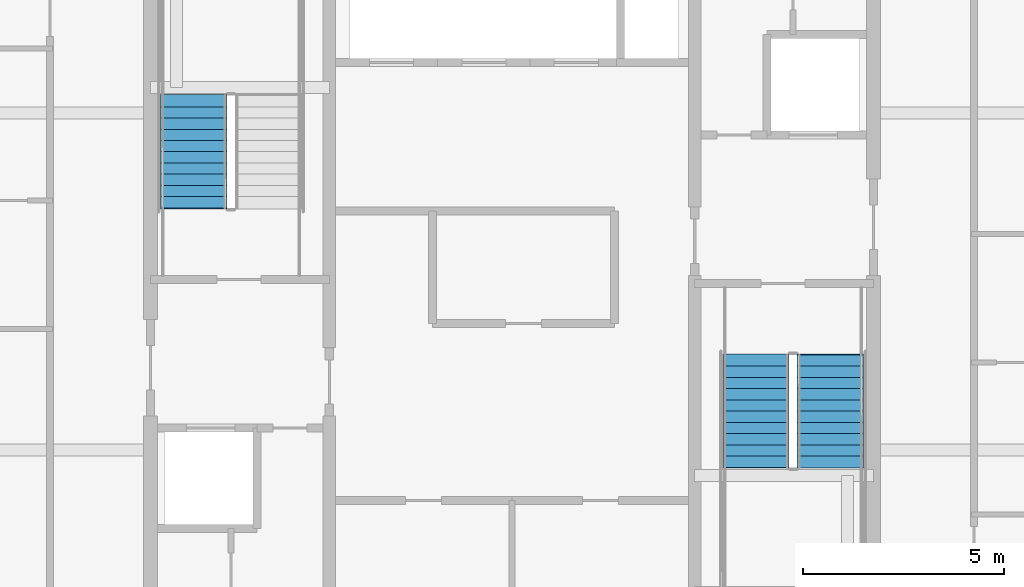
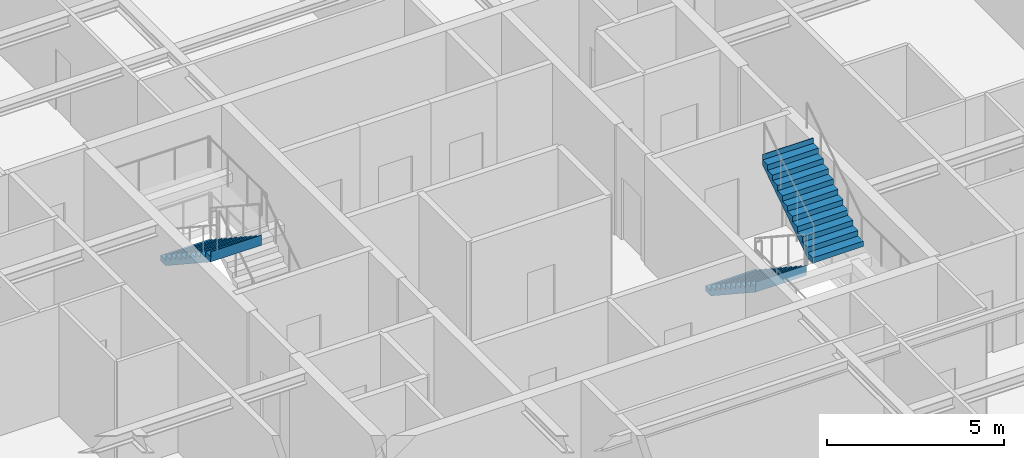
# One storey, part 36 of 42: 3 stair flights, 2 elements without a shape of their own.
"""IFC4 building model written with IfcOpenShell, lengths in metres."""

from ifc_helpers import new_model, si_unit, direction, frame, origin, place, context, subcontext, project, spatial, polygons, material, type_object, element, aggregate, save


model = new_model("IFC4")

# Units and contexts
model_context = context("Model", 3, precision=1e-05, world=origin(), true_north=direction((0.0, 1.0)))
body_context = subcontext(model_context, "Body", "Model", "MODEL_VIEW")
ifc_project = project(units=[si_unit("LENGTHUNIT", "METRE"), si_unit("AREAUNIT", "SQUARE_METRE"), si_unit("VOLUMEUNIT", "CUBIC_METRE"), si_unit("PLANEANGLEUNIT", "RADIAN"), si_unit("MASSUNIT", "GRAM", prefix="KILO")], contexts=[model_context])

# Site, building, storey
site_placement = place(None, origin())
site = spatial("IfcSite", under=ifc_project, at=site_placement, CompositionType="ELEMENT")
building_placement = place(site_placement, origin())
building = spatial("IfcBuilding", under=site, at=building_placement, Name="Serunith Strait Residences", CompositionType="ELEMENT")
storey_placement = place(building_placement, frame((0.0, 0.0, 297.5)))
storey = spatial("IfcBuildingStorey", under=building, at=storey_placement, Name="L74", CompositionType="ELEMENT", Elevation=297.5)

# Stair, stair flight
ifc_material = material(Name="Concrete C50/60", Category="concrete")
stair_type_1 = type_object("IfcStairType", Name="STR-CORE-1", PredefinedType="HALF_TURN_STAIR", material=ifc_material)
stair_1_placement = place(storey_placement, origin())
stair_1 = element("IfcStair", 1, at=stair_1_placement, inside=storey, type_object=stair_type_1, Name="L74 Protected Escape Stair ST-1", PredefinedType="HALF_TURN_STAIR")
stair_flight_type_1 = type_object("IfcStairFlightType", Name="FLT-CORE-1", PredefinedType="STRAIGHT", material=ifc_material)
stair_flight_1_placement = place(storey_placement, frame((24.47509765625, 29.830078125, 2.02490234375), z_axis=(0.0, 0.0, 1.0), x_axis=(0.0, -1.0, 0.0)))
stair_flight_1 = element("IfcStairFlight", 2, at=stair_flight_1_placement, type_object=stair_flight_type_1, Name="ST-1 flight 2", NumberOfRisers=11, NumberOfTreads=10, PredefinedType="STRAIGHT", RiserHeight=0.184090909, TreadLength=0.28, context=body_context, shape_type="Tessellation", body=[
    polygons([(-0.02001953125, -0.824951171875, 0.0), (-0.02001953125, -0.824951171875, 0.18408203125), (0.280029296875, -0.824951171875, 0.18408203125), (0.280029296875, -0.824951171875, 0.3681640625), (0.56005859375, -0.824951171875, 0.3681640625), (0.56005859375, -0.824951171875, 0.55224609375), (0.840087890625, -0.824951171875, 0.55224609375), (0.840087890625, -0.824951171875, 0.736328125), (1.1201171875, -0.824951171875, 0.736328125), (1.1201171875, -0.824951171875, 0.92041015625), (1.39990234375, -0.824951171875, 0.92041015625), (1.39990234375, -0.824951171875, 1.1044921875), (1.679931640625, -0.824951171875, 1.1044921875), (1.679931640625, -0.824951171875, 1.28857421875), (1.9599609375, -0.824951171875, 1.28857421875), (1.9599609375, -0.824951171875, 1.47265625), (2.239990234375, -0.824951171875, 1.47265625), (2.239990234375, -0.824951171875, 1.65673828125), (2.52001953125, -0.824951171875, 1.65673828125), (2.52001953125, -0.824951171875, 1.8408203125), (2.800048828125, -0.824951171875, 1.8408203125), (2.800048828125, -0.824951171875, 2.02490234375), (2.820068359375, -0.824951171875, 2.02490234375), (2.820068359375, -0.824951171875, 1.965087890625), (2.800048828125, -0.824951171875, 1.66162109375), (0.27294921875, -0.824951171875, 0.0), (-0.02001953125, -0.41259765625, 0.0), (-0.02001953125, -0.41259765625, 0.18408203125), (0.280029296875, -0.41259765625, 0.18408203125), (0.280029296875, -0.41259765625, 0.3681640625), (0.56005859375, -0.41259765625, 0.3681640625), (0.56005859375, -0.41259765625, 0.55224609375), (0.840087890625, -0.41259765625, 0.55224609375), (0.840087890625, -0.41259765625, 0.736328125), (1.1201171875, -0.41259765625, 0.736328125), (1.1201171875, -0.41259765625, 0.92041015625), (1.39990234375, -0.41259765625, 0.92041015625), (1.39990234375, -0.41259765625, 1.1044921875), (1.679931640625, -0.41259765625, 1.1044921875), (1.679931640625, -0.41259765625, 1.28857421875), (1.9599609375, -0.41259765625, 1.28857421875), (1.9599609375, -0.41259765625, 1.47265625), (2.239990234375, -0.41259765625, 1.47265625), (2.239990234375, -0.41259765625, 1.65673828125), (2.52001953125, -0.41259765625, 1.65673828125), (2.52001953125, -0.41259765625, 1.8408203125), (2.800048828125, -0.41259765625, 1.8408203125), (2.800048828125, -0.41259765625, 2.02490234375), (2.820068359375, -0.41259765625, 2.02490234375), (2.820068359375, -0.41259765625, 1.965087890625), (2.800048828125, -0.41259765625, 1.66162109375), (0.27294921875, -0.41259765625, 0.0), (-0.02001953125, 0.0, 0.0), (-0.02001953125, 0.0, 0.18408203125), (0.280029296875, 0.0, 0.18408203125), (0.280029296875, 0.0, 0.3681640625), (0.56005859375, 0.0, 0.3681640625), (0.56005859375, 0.0, 0.55224609375), (0.840087890625, 0.0, 0.55224609375), (0.840087890625, 0.0, 0.736328125), (1.1201171875, 0.0, 0.736328125), (1.1201171875, 0.0, 0.92041015625), (1.39990234375, 0.0, 0.92041015625), (1.39990234375, 0.0, 1.1044921875), (1.679931640625, 0.0, 1.1044921875), (1.679931640625, 0.0, 1.28857421875), (1.9599609375, 0.0, 1.28857421875), (1.9599609375, 0.0, 1.47265625), (2.239990234375, 0.0, 1.47265625), (2.239990234375, 0.0, 1.65673828125), (2.52001953125, 0.0, 1.65673828125), (2.52001953125, 0.0, 1.8408203125), (2.800048828125, 0.0, 1.8408203125), (2.800048828125, 0.0, 2.02490234375), (2.820068359375, 0.0, 2.02490234375), (2.820068359375, 0.0, 1.965087890625), (2.800048828125, 0.0, 1.66162109375), (0.27294921875, 0.0, 0.0), (-0.02001953125, 0.41259765625, 0.0), (-0.02001953125, 0.41259765625, 0.18408203125), (0.280029296875, 0.41259765625, 0.18408203125), (0.280029296875, 0.41259765625, 0.3681640625), (0.56005859375, 0.41259765625, 0.3681640625), (0.56005859375, 0.41259765625, 0.55224609375), (0.840087890625, 0.41259765625, 0.55224609375), (0.840087890625, 0.41259765625, 0.736328125), (1.1201171875, 0.41259765625, 0.736328125), (1.1201171875, 0.41259765625, 0.92041015625), (1.39990234375, 0.41259765625, 0.92041015625), (1.39990234375, 0.41259765625, 1.1044921875), (1.679931640625, 0.41259765625, 1.1044921875), (1.679931640625, 0.41259765625, 1.28857421875), (1.9599609375, 0.41259765625, 1.28857421875), (1.9599609375, 0.41259765625, 1.47265625), (2.239990234375, 0.41259765625, 1.47265625), (2.239990234375, 0.41259765625, 1.65673828125), (2.52001953125, 0.41259765625, 1.65673828125), (2.52001953125, 0.41259765625, 1.8408203125), (2.800048828125, 0.41259765625, 1.8408203125), (2.800048828125, 0.41259765625, 2.02490234375), (2.820068359375, 0.41259765625, 2.02490234375), (2.820068359375, 0.41259765625, 1.965087890625), (2.800048828125, 0.41259765625, 1.66162109375), (0.27294921875, 0.41259765625, 0.0), (-0.02001953125, 0.824951171875, 0.0), (-0.02001953125, 0.824951171875, 0.18408203125), (0.280029296875, 0.824951171875, 0.18408203125), (0.280029296875, 0.824951171875, 0.3681640625), (0.56005859375, 0.824951171875, 0.3681640625), (0.56005859375, 0.824951171875, 0.55224609375), (0.840087890625, 0.824951171875, 0.55224609375), (0.840087890625, 0.824951171875, 0.736328125), (1.1201171875, 0.824951171875, 0.736328125), (1.1201171875, 0.824951171875, 0.92041015625), (1.39990234375, 0.824951171875, 0.92041015625), (1.39990234375, 0.824951171875, 1.1044921875), (1.679931640625, 0.824951171875, 1.1044921875), (1.679931640625, 0.824951171875, 1.28857421875), (1.9599609375, 0.824951171875, 1.28857421875), (1.9599609375, 0.824951171875, 1.47265625), (2.239990234375, 0.824951171875, 1.47265625), (2.239990234375, 0.824951171875, 1.65673828125), (2.52001953125, 0.824951171875, 1.65673828125), (2.52001953125, 0.824951171875, 1.8408203125), (2.800048828125, 0.824951171875, 1.8408203125), (2.800048828125, 0.824951171875, 2.02490234375), (2.820068359375, 0.824951171875, 2.02490234375), (2.820068359375, 0.824951171875, 1.965087890625), (2.800048828125, 0.824951171875, 1.66162109375), (0.27294921875, 0.824951171875, 0.0)], [[[1, 2, 28, 27]], [[2, 3, 29, 28]], [[3, 4, 30, 29]], [[4, 5, 31, 30]], [[5, 6, 32, 31]], [[6, 7, 33, 32]], [[7, 8, 34, 33]], [[8, 9, 35, 34]], [[9, 10, 36, 35]], [[10, 11, 37, 36]], [[11, 12, 38, 37]], [[12, 13, 39, 38]], [[13, 14, 40, 39]], [[14, 15, 41, 40]], [[15, 16, 42, 41]], [[16, 17, 43, 42]], [[17, 18, 44, 43]], [[18, 19, 45, 44]], [[19, 20, 46, 45]], [[20, 21, 47, 46]], [[21, 22, 48, 47]], [[22, 23, 49, 48]], [[23, 24, 50, 49]], [[24, 25, 51, 50]], [[25, 26, 52, 51]], [[26, 1, 27, 52]], [[27, 28, 54, 53]], [[28, 29, 55, 54]], [[29, 30, 56, 55]], [[30, 31, 57, 56]], [[31, 32, 58, 57]], [[32, 33, 59, 58]], [[33, 34, 60, 59]], [[34, 35, 61, 60]], [[35, 36, 62, 61]], [[36, 37, 63, 62]], [[37, 38, 64, 63]], [[38, 39, 65, 64]], [[39, 40, 66, 65]], [[40, 41, 67, 66]], [[41, 42, 68, 67]], [[42, 43, 69, 68]], [[43, 44, 70, 69]], [[44, 45, 71, 70]], [[45, 46, 72, 71]], [[46, 47, 73, 72]], [[47, 48, 74, 73]], [[48, 49, 75, 74]], [[49, 50, 76, 75]], [[50, 51, 77, 76]], [[51, 52, 78, 77]], [[52, 27, 53, 78]], [[53, 54, 80, 79]], [[54, 55, 81, 80]], [[55, 56, 82, 81]], [[56, 57, 83, 82]], [[57, 58, 84, 83]], [[58, 59, 85, 84]], [[59, 60, 86, 85]], [[60, 61, 87, 86]], [[61, 62, 88, 87]], [[62, 63, 89, 88]], [[63, 64, 90, 89]], [[64, 65, 91, 90]], [[65, 66, 92, 91]], [[66, 67, 93, 92]], [[67, 68, 94, 93]], [[68, 69, 95, 94]], [[69, 70, 96, 95]], [[70, 71, 97, 96]], [[71, 72, 98, 97]], [[72, 73, 99, 98]], [[73, 74, 100, 99]], [[74, 75, 101, 100]], [[75, 76, 102, 101]], [[76, 77, 103, 102]], [[77, 78, 104, 103]], [[78, 53, 79, 104]], [[79, 80, 106, 105]], [[80, 81, 107, 106]], [[81, 82, 108, 107]], [[82, 83, 109, 108]], [[83, 84, 110, 109]], [[84, 85, 111, 110]], [[85, 86, 112, 111]], [[86, 87, 113, 112]], [[87, 88, 114, 113]], [[88, 89, 115, 114]], [[89, 90, 116, 115]], [[90, 91, 117, 116]], [[91, 92, 118, 117]], [[92, 93, 119, 118]], [[93, 94, 120, 119]], [[94, 95, 121, 120]], [[95, 96, 122, 121]], [[96, 97, 123, 122]], [[97, 98, 124, 123]], [[98, 99, 125, 124]], [[99, 100, 126, 125]], [[100, 101, 127, 126]], [[101, 102, 128, 127]], [[102, 103, 129, 128]], [[103, 104, 130, 129]], [[104, 79, 105, 130]], [[26, 25, 24, 23, 22, 21, 20, 19, 18, 17, 16, 15, 14, 13, 12, 11, 10, 9, 8, 7, 6, 5, 4, 3, 2, 1]], [[105, 106, 107, 108, 109, 110, 111, 112, 113, 114, 115, 116, 117, 118, 119, 120, 121, 122, 123, 124, 125, 126, 127, 128, 129, 130]]], closed=True),
])
aggregate(stair_1, [stair_flight_1])

# Stair, stair flights
stair_type_2 = type_object("IfcStairType", Name="STR-CORE-2", PredefinedType="HALF_TURN_STAIR", material=ifc_material)
stair_2_placement = place(storey_placement, origin())
stair_2 = element("IfcStair", 3, at=stair_2_placement, inside=storey, type_object=stair_type_2, Name="L74 Protected Escape Stair ST-2", PredefinedType="HALF_TURN_STAIR")
stair_flight_type_2 = type_object("IfcStairFlightType", Name="FLT-CORE-2", PredefinedType="STRAIGHT", material=ifc_material)
stair_flight_2_placement = place(storey_placement, frame((38.47509765625, 23.3701171875, 0.0), z_axis=(0.0, 0.0, 1.0), x_axis=(0.0, -1.0, 0.0)))
stair_flight_2 = element("IfcStairFlight", 4, at=stair_flight_2_placement, type_object=stair_flight_type_2, Name="ST-2 flight 1", NumberOfRisers=11, NumberOfTreads=10, PredefinedType="STRAIGHT", RiserHeight=0.184090909, TreadLength=0.28, context=body_context, shape_type="Tessellation", body=[
    polygons([(-0.02001953125, -0.824951171875, 0.0), (-0.02001953125, -0.824951171875, 0.18408203125), (0.280029296875, -0.824951171875, 0.18408203125), (0.280029296875, -0.824951171875, 0.3681640625), (0.56005859375, -0.824951171875, 0.3681640625), (0.56005859375, -0.824951171875, 0.55224609375), (0.840087890625, -0.824951171875, 0.55224609375), (0.840087890625, -0.824951171875, 0.736328125), (1.1201171875, -0.824951171875, 0.736328125), (1.1201171875, -0.824951171875, 0.92041015625), (1.39990234375, -0.824951171875, 0.92041015625), (1.39990234375, -0.824951171875, 1.1044921875), (1.679931640625, -0.824951171875, 1.1044921875), (1.679931640625, -0.824951171875, 1.28857421875), (1.9599609375, -0.824951171875, 1.28857421875), (1.9599609375, -0.824951171875, 1.47265625), (2.239990234375, -0.824951171875, 1.47265625), (2.239990234375, -0.824951171875, 1.65673828125), (2.52001953125, -0.824951171875, 1.65673828125), (2.52001953125, -0.824951171875, 1.8408203125), (2.800048828125, -0.824951171875, 1.8408203125), (2.800048828125, -0.824951171875, 2.02490234375), (2.820068359375, -0.824951171875, 2.02490234375), (2.820068359375, -0.824951171875, 1.965087890625), (2.800048828125, -0.824951171875, 1.66162109375), (0.27294921875, -0.824951171875, 0.0), (-0.02001953125, -0.41259765625, 0.0), (-0.02001953125, -0.41259765625, 0.18408203125), (0.280029296875, -0.41259765625, 0.18408203125), (0.280029296875, -0.41259765625, 0.3681640625), (0.56005859375, -0.41259765625, 0.3681640625), (0.56005859375, -0.41259765625, 0.55224609375), (0.840087890625, -0.41259765625, 0.55224609375), (0.840087890625, -0.41259765625, 0.736328125), (1.1201171875, -0.41259765625, 0.736328125), (1.1201171875, -0.41259765625, 0.92041015625), (1.39990234375, -0.41259765625, 0.92041015625), (1.39990234375, -0.41259765625, 1.1044921875), (1.679931640625, -0.41259765625, 1.1044921875), (1.679931640625, -0.41259765625, 1.28857421875), (1.9599609375, -0.41259765625, 1.28857421875), (1.9599609375, -0.41259765625, 1.47265625), (2.239990234375, -0.41259765625, 1.47265625), (2.239990234375, -0.41259765625, 1.65673828125), (2.52001953125, -0.41259765625, 1.65673828125), (2.52001953125, -0.41259765625, 1.8408203125), (2.800048828125, -0.41259765625, 1.8408203125), (2.800048828125, -0.41259765625, 2.02490234375), (2.820068359375, -0.41259765625, 2.02490234375), (2.820068359375, -0.41259765625, 1.965087890625), (2.800048828125, -0.41259765625, 1.66162109375), (0.27294921875, -0.41259765625, 0.0), (-0.02001953125, 0.0, 0.0), (-0.02001953125, 0.0, 0.18408203125), (0.280029296875, 0.0, 0.18408203125), (0.280029296875, 0.0, 0.3681640625), (0.56005859375, 0.0, 0.3681640625), (0.56005859375, 0.0, 0.55224609375), (0.840087890625, 0.0, 0.55224609375), (0.840087890625, 0.0, 0.736328125), (1.1201171875, 0.0, 0.736328125), (1.1201171875, 0.0, 0.92041015625), (1.39990234375, 0.0, 0.92041015625), (1.39990234375, 0.0, 1.1044921875), (1.679931640625, 0.0, 1.1044921875), (1.679931640625, 0.0, 1.28857421875), (1.9599609375, 0.0, 1.28857421875), (1.9599609375, 0.0, 1.47265625), (2.239990234375, 0.0, 1.47265625), (2.239990234375, 0.0, 1.65673828125), (2.52001953125, 0.0, 1.65673828125), (2.52001953125, 0.0, 1.8408203125), (2.800048828125, 0.0, 1.8408203125), (2.800048828125, 0.0, 2.02490234375), (2.820068359375, 0.0, 2.02490234375), (2.820068359375, 0.0, 1.965087890625), (2.800048828125, 0.0, 1.66162109375), (0.27294921875, 0.0, 0.0), (-0.02001953125, 0.41259765625, 0.0), (-0.02001953125, 0.41259765625, 0.18408203125), (0.280029296875, 0.41259765625, 0.18408203125), (0.280029296875, 0.41259765625, 0.3681640625), (0.56005859375, 0.41259765625, 0.3681640625), (0.56005859375, 0.41259765625, 0.55224609375), (0.840087890625, 0.41259765625, 0.55224609375), (0.840087890625, 0.41259765625, 0.736328125), (1.1201171875, 0.41259765625, 0.736328125), (1.1201171875, 0.41259765625, 0.92041015625), (1.39990234375, 0.41259765625, 0.92041015625), (1.39990234375, 0.41259765625, 1.1044921875), (1.679931640625, 0.41259765625, 1.1044921875), (1.679931640625, 0.41259765625, 1.28857421875), (1.9599609375, 0.41259765625, 1.28857421875), (1.9599609375, 0.41259765625, 1.47265625), (2.239990234375, 0.41259765625, 1.47265625), (2.239990234375, 0.41259765625, 1.65673828125), (2.52001953125, 0.41259765625, 1.65673828125), (2.52001953125, 0.41259765625, 1.8408203125), (2.800048828125, 0.41259765625, 1.8408203125), (2.800048828125, 0.41259765625, 2.02490234375), (2.820068359375, 0.41259765625, 2.02490234375), (2.820068359375, 0.41259765625, 1.965087890625), (2.800048828125, 0.41259765625, 1.66162109375), (0.27294921875, 0.41259765625, 0.0), (-0.02001953125, 0.824951171875, 0.0), (-0.02001953125, 0.824951171875, 0.18408203125), (0.280029296875, 0.824951171875, 0.18408203125), (0.280029296875, 0.824951171875, 0.3681640625), (0.56005859375, 0.824951171875, 0.3681640625), (0.56005859375, 0.824951171875, 0.55224609375), (0.840087890625, 0.824951171875, 0.55224609375), (0.840087890625, 0.824951171875, 0.736328125), (1.1201171875, 0.824951171875, 0.736328125), (1.1201171875, 0.824951171875, 0.92041015625), (1.39990234375, 0.824951171875, 0.92041015625), (1.39990234375, 0.824951171875, 1.1044921875), (1.679931640625, 0.824951171875, 1.1044921875), (1.679931640625, 0.824951171875, 1.28857421875), (1.9599609375, 0.824951171875, 1.28857421875), (1.9599609375, 0.824951171875, 1.47265625), (2.239990234375, 0.824951171875, 1.47265625), (2.239990234375, 0.824951171875, 1.65673828125), (2.52001953125, 0.824951171875, 1.65673828125), (2.52001953125, 0.824951171875, 1.8408203125), (2.800048828125, 0.824951171875, 1.8408203125), (2.800048828125, 0.824951171875, 2.02490234375), (2.820068359375, 0.824951171875, 2.02490234375), (2.820068359375, 0.824951171875, 1.965087890625), (2.800048828125, 0.824951171875, 1.66162109375), (0.27294921875, 0.824951171875, 0.0)], [[[1, 2, 28, 27]], [[2, 3, 29, 28]], [[3, 4, 30, 29]], [[4, 5, 31, 30]], [[5, 6, 32, 31]], [[6, 7, 33, 32]], [[7, 8, 34, 33]], [[8, 9, 35, 34]], [[9, 10, 36, 35]], [[10, 11, 37, 36]], [[11, 12, 38, 37]], [[12, 13, 39, 38]], [[13, 14, 40, 39]], [[14, 15, 41, 40]], [[15, 16, 42, 41]], [[16, 17, 43, 42]], [[17, 18, 44, 43]], [[18, 19, 45, 44]], [[19, 20, 46, 45]], [[20, 21, 47, 46]], [[21, 22, 48, 47]], [[22, 23, 49, 48]], [[23, 24, 50, 49]], [[24, 25, 51, 50]], [[25, 26, 52, 51]], [[26, 1, 27, 52]], [[27, 28, 54, 53]], [[28, 29, 55, 54]], [[29, 30, 56, 55]], [[30, 31, 57, 56]], [[31, 32, 58, 57]], [[32, 33, 59, 58]], [[33, 34, 60, 59]], [[34, 35, 61, 60]], [[35, 36, 62, 61]], [[36, 37, 63, 62]], [[37, 38, 64, 63]], [[38, 39, 65, 64]], [[39, 40, 66, 65]], [[40, 41, 67, 66]], [[41, 42, 68, 67]], [[42, 43, 69, 68]], [[43, 44, 70, 69]], [[44, 45, 71, 70]], [[45, 46, 72, 71]], [[46, 47, 73, 72]], [[47, 48, 74, 73]], [[48, 49, 75, 74]], [[49, 50, 76, 75]], [[50, 51, 77, 76]], [[51, 52, 78, 77]], [[52, 27, 53, 78]], [[53, 54, 80, 79]], [[54, 55, 81, 80]], [[55, 56, 82, 81]], [[56, 57, 83, 82]], [[57, 58, 84, 83]], [[58, 59, 85, 84]], [[59, 60, 86, 85]], [[60, 61, 87, 86]], [[61, 62, 88, 87]], [[62, 63, 89, 88]], [[63, 64, 90, 89]], [[64, 65, 91, 90]], [[65, 66, 92, 91]], [[66, 67, 93, 92]], [[67, 68, 94, 93]], [[68, 69, 95, 94]], [[69, 70, 96, 95]], [[70, 71, 97, 96]], [[71, 72, 98, 97]], [[72, 73, 99, 98]], [[73, 74, 100, 99]], [[74, 75, 101, 100]], [[75, 76, 102, 101]], [[76, 77, 103, 102]], [[77, 78, 104, 103]], [[78, 53, 79, 104]], [[79, 80, 106, 105]], [[80, 81, 107, 106]], [[81, 82, 108, 107]], [[82, 83, 109, 108]], [[83, 84, 110, 109]], [[84, 85, 111, 110]], [[85, 86, 112, 111]], [[86, 87, 113, 112]], [[87, 88, 114, 113]], [[88, 89, 115, 114]], [[89, 90, 116, 115]], [[90, 91, 117, 116]], [[91, 92, 118, 117]], [[92, 93, 119, 118]], [[93, 94, 120, 119]], [[94, 95, 121, 120]], [[95, 96, 122, 121]], [[96, 97, 123, 122]], [[97, 98, 124, 123]], [[98, 99, 125, 124]], [[99, 100, 126, 125]], [[100, 101, 127, 126]], [[101, 102, 128, 127]], [[102, 103, 129, 128]], [[103, 104, 130, 129]], [[104, 79, 105, 130]], [[26, 25, 24, 23, 22, 21, 20, 19, 18, 17, 16, 15, 14, 13, 12, 11, 10, 9, 8, 7, 6, 5, 4, 3, 2, 1]], [[105, 106, 107, 108, 109, 110, 111, 112, 113, 114, 115, 116, 117, 118, 119, 120, 121, 122, 123, 124, 125, 126, 127, 128, 129, 130]]], closed=True),
])
stair_flight_3_placement = place(storey_placement, frame((40.324951171875, 20.570068359375, 2.02490234375), z_axis=(0.0, 0.0, 1.0), x_axis=(0.0, 1.0, 0.0)))
stair_flight_3 = element("IfcStairFlight", 5, at=stair_flight_3_placement, type_object=stair_flight_type_2, Name="ST-2 flight 2", NumberOfRisers=11, NumberOfTreads=10, PredefinedType="STRAIGHT", RiserHeight=0.184090909, TreadLength=0.28, context=body_context, shape_type="Tessellation", body=[
    polygons([(-0.02001953125, -0.824951171875, 0.0), (-0.02001953125, -0.824951171875, 0.18408203125), (0.280029296875, -0.824951171875, 0.18408203125), (0.280029296875, -0.824951171875, 0.3681640625), (0.56005859375, -0.824951171875, 0.3681640625), (0.56005859375, -0.824951171875, 0.55224609375), (0.840087890625, -0.824951171875, 0.55224609375), (0.840087890625, -0.824951171875, 0.736328125), (1.1201171875, -0.824951171875, 0.736328125), (1.1201171875, -0.824951171875, 0.92041015625), (1.39990234375, -0.824951171875, 0.92041015625), (1.39990234375, -0.824951171875, 1.1044921875), (1.679931640625, -0.824951171875, 1.1044921875), (1.679931640625, -0.824951171875, 1.28857421875), (1.9599609375, -0.824951171875, 1.28857421875), (1.9599609375, -0.824951171875, 1.47265625), (2.239990234375, -0.824951171875, 1.47265625), (2.239990234375, -0.824951171875, 1.65673828125), (2.52001953125, -0.824951171875, 1.65673828125), (2.52001953125, -0.824951171875, 1.8408203125), (2.800048828125, -0.824951171875, 1.8408203125), (2.800048828125, -0.824951171875, 2.02490234375), (2.820068359375, -0.824951171875, 2.02490234375), (2.820068359375, -0.824951171875, 1.965087890625), (2.800048828125, -0.824951171875, 1.66162109375), (0.27294921875, -0.824951171875, 0.0), (-0.02001953125, -0.41259765625, 0.0), (-0.02001953125, -0.41259765625, 0.18408203125), (0.280029296875, -0.41259765625, 0.18408203125), (0.280029296875, -0.41259765625, 0.3681640625), (0.56005859375, -0.41259765625, 0.3681640625), (0.56005859375, -0.41259765625, 0.55224609375), (0.840087890625, -0.41259765625, 0.55224609375), (0.840087890625, -0.41259765625, 0.736328125), (1.1201171875, -0.41259765625, 0.736328125), (1.1201171875, -0.41259765625, 0.92041015625), (1.39990234375, -0.41259765625, 0.92041015625), (1.39990234375, -0.41259765625, 1.1044921875), (1.679931640625, -0.41259765625, 1.1044921875), (1.679931640625, -0.41259765625, 1.28857421875), (1.9599609375, -0.41259765625, 1.28857421875), (1.9599609375, -0.41259765625, 1.47265625), (2.239990234375, -0.41259765625, 1.47265625), (2.239990234375, -0.41259765625, 1.65673828125), (2.52001953125, -0.41259765625, 1.65673828125), (2.52001953125, -0.41259765625, 1.8408203125), (2.800048828125, -0.41259765625, 1.8408203125), (2.800048828125, -0.41259765625, 2.02490234375), (2.820068359375, -0.41259765625, 2.02490234375), (2.820068359375, -0.41259765625, 1.965087890625), (2.800048828125, -0.41259765625, 1.66162109375), (0.27294921875, -0.41259765625, 0.0), (-0.02001953125, 0.0, 0.0), (-0.02001953125, 0.0, 0.18408203125), (0.280029296875, 0.0, 0.18408203125), (0.280029296875, 0.0, 0.3681640625), (0.56005859375, 0.0, 0.3681640625), (0.56005859375, 0.0, 0.55224609375), (0.840087890625, 0.0, 0.55224609375), (0.840087890625, 0.0, 0.736328125), (1.1201171875, 0.0, 0.736328125), (1.1201171875, 0.0, 0.92041015625), (1.39990234375, 0.0, 0.92041015625), (1.39990234375, 0.0, 1.1044921875), (1.679931640625, 0.0, 1.1044921875), (1.679931640625, 0.0, 1.28857421875), (1.9599609375, 0.0, 1.28857421875), (1.9599609375, 0.0, 1.47265625), (2.239990234375, 0.0, 1.47265625), (2.239990234375, 0.0, 1.65673828125), (2.52001953125, 0.0, 1.65673828125), (2.52001953125, 0.0, 1.8408203125), (2.800048828125, 0.0, 1.8408203125), (2.800048828125, 0.0, 2.02490234375), (2.820068359375, 0.0, 2.02490234375), (2.820068359375, 0.0, 1.965087890625), (2.800048828125, 0.0, 1.66162109375), (0.27294921875, 0.0, 0.0), (-0.02001953125, 0.41259765625, 0.0), (-0.02001953125, 0.41259765625, 0.18408203125), (0.280029296875, 0.41259765625, 0.18408203125), (0.280029296875, 0.41259765625, 0.3681640625), (0.56005859375, 0.41259765625, 0.3681640625), (0.56005859375, 0.41259765625, 0.55224609375), (0.840087890625, 0.41259765625, 0.55224609375), (0.840087890625, 0.41259765625, 0.736328125), (1.1201171875, 0.41259765625, 0.736328125), (1.1201171875, 0.41259765625, 0.92041015625), (1.39990234375, 0.41259765625, 0.92041015625), (1.39990234375, 0.41259765625, 1.1044921875), (1.679931640625, 0.41259765625, 1.1044921875), (1.679931640625, 0.41259765625, 1.28857421875), (1.9599609375, 0.41259765625, 1.28857421875), (1.9599609375, 0.41259765625, 1.47265625), (2.239990234375, 0.41259765625, 1.47265625), (2.239990234375, 0.41259765625, 1.65673828125), (2.52001953125, 0.41259765625, 1.65673828125), (2.52001953125, 0.41259765625, 1.8408203125), (2.800048828125, 0.41259765625, 1.8408203125), (2.800048828125, 0.41259765625, 2.02490234375), (2.820068359375, 0.41259765625, 2.02490234375), (2.820068359375, 0.41259765625, 1.965087890625), (2.800048828125, 0.41259765625, 1.66162109375), (0.27294921875, 0.41259765625, 0.0), (-0.02001953125, 0.824951171875, 0.0), (-0.02001953125, 0.824951171875, 0.18408203125), (0.280029296875, 0.824951171875, 0.18408203125), (0.280029296875, 0.824951171875, 0.3681640625), (0.56005859375, 0.824951171875, 0.3681640625), (0.56005859375, 0.824951171875, 0.55224609375), (0.840087890625, 0.824951171875, 0.55224609375), (0.840087890625, 0.824951171875, 0.736328125), (1.1201171875, 0.824951171875, 0.736328125), (1.1201171875, 0.824951171875, 0.92041015625), (1.39990234375, 0.824951171875, 0.92041015625), (1.39990234375, 0.824951171875, 1.1044921875), (1.679931640625, 0.824951171875, 1.1044921875), (1.679931640625, 0.824951171875, 1.28857421875), (1.9599609375, 0.824951171875, 1.28857421875), (1.9599609375, 0.824951171875, 1.47265625), (2.239990234375, 0.824951171875, 1.47265625), (2.239990234375, 0.824951171875, 1.65673828125), (2.52001953125, 0.824951171875, 1.65673828125), (2.52001953125, 0.824951171875, 1.8408203125), (2.800048828125, 0.824951171875, 1.8408203125), (2.800048828125, 0.824951171875, 2.02490234375), (2.820068359375, 0.824951171875, 2.02490234375), (2.820068359375, 0.824951171875, 1.965087890625), (2.800048828125, 0.824951171875, 1.66162109375), (0.27294921875, 0.824951171875, 0.0)], [[[1, 2, 28, 27]], [[2, 3, 29, 28]], [[3, 4, 30, 29]], [[4, 5, 31, 30]], [[5, 6, 32, 31]], [[6, 7, 33, 32]], [[7, 8, 34, 33]], [[8, 9, 35, 34]], [[9, 10, 36, 35]], [[10, 11, 37, 36]], [[11, 12, 38, 37]], [[12, 13, 39, 38]], [[13, 14, 40, 39]], [[14, 15, 41, 40]], [[15, 16, 42, 41]], [[16, 17, 43, 42]], [[17, 18, 44, 43]], [[18, 19, 45, 44]], [[19, 20, 46, 45]], [[20, 21, 47, 46]], [[21, 22, 48, 47]], [[22, 23, 49, 48]], [[23, 24, 50, 49]], [[24, 25, 51, 50]], [[25, 26, 52, 51]], [[26, 1, 27, 52]], [[27, 28, 54, 53]], [[28, 29, 55, 54]], [[29, 30, 56, 55]], [[30, 31, 57, 56]], [[31, 32, 58, 57]], [[32, 33, 59, 58]], [[33, 34, 60, 59]], [[34, 35, 61, 60]], [[35, 36, 62, 61]], [[36, 37, 63, 62]], [[37, 38, 64, 63]], [[38, 39, 65, 64]], [[39, 40, 66, 65]], [[40, 41, 67, 66]], [[41, 42, 68, 67]], [[42, 43, 69, 68]], [[43, 44, 70, 69]], [[44, 45, 71, 70]], [[45, 46, 72, 71]], [[46, 47, 73, 72]], [[47, 48, 74, 73]], [[48, 49, 75, 74]], [[49, 50, 76, 75]], [[50, 51, 77, 76]], [[51, 52, 78, 77]], [[52, 27, 53, 78]], [[53, 54, 80, 79]], [[54, 55, 81, 80]], [[55, 56, 82, 81]], [[56, 57, 83, 82]], [[57, 58, 84, 83]], [[58, 59, 85, 84]], [[59, 60, 86, 85]], [[60, 61, 87, 86]], [[61, 62, 88, 87]], [[62, 63, 89, 88]], [[63, 64, 90, 89]], [[64, 65, 91, 90]], [[65, 66, 92, 91]], [[66, 67, 93, 92]], [[67, 68, 94, 93]], [[68, 69, 95, 94]], [[69, 70, 96, 95]], [[70, 71, 97, 96]], [[71, 72, 98, 97]], [[72, 73, 99, 98]], [[73, 74, 100, 99]], [[74, 75, 101, 100]], [[75, 76, 102, 101]], [[76, 77, 103, 102]], [[77, 78, 104, 103]], [[78, 53, 79, 104]], [[79, 80, 106, 105]], [[80, 81, 107, 106]], [[81, 82, 108, 107]], [[82, 83, 109, 108]], [[83, 84, 110, 109]], [[84, 85, 111, 110]], [[85, 86, 112, 111]], [[86, 87, 113, 112]], [[87, 88, 114, 113]], [[88, 89, 115, 114]], [[89, 90, 116, 115]], [[90, 91, 117, 116]], [[91, 92, 118, 117]], [[92, 93, 119, 118]], [[93, 94, 120, 119]], [[94, 95, 121, 120]], [[95, 96, 122, 121]], [[96, 97, 123, 122]], [[97, 98, 124, 123]], [[98, 99, 125, 124]], [[99, 100, 126, 125]], [[100, 101, 127, 126]], [[101, 102, 128, 127]], [[102, 103, 129, 128]], [[103, 104, 130, 129]], [[104, 79, 105, 130]], [[26, 25, 24, 23, 22, 21, 20, 19, 18, 17, 16, 15, 14, 13, 12, 11, 10, 9, 8, 7, 6, 5, 4, 3, 2, 1]], [[105, 106, 107, 108, 109, 110, 111, 112, 113, 114, 115, 116, 117, 118, 119, 120, 121, 122, 123, 124, 125, 126, 127, 128, 129, 130]]], closed=True),
])
aggregate(stair_2, [stair_flight_2, stair_flight_3])

save(model, "model.ifc")
